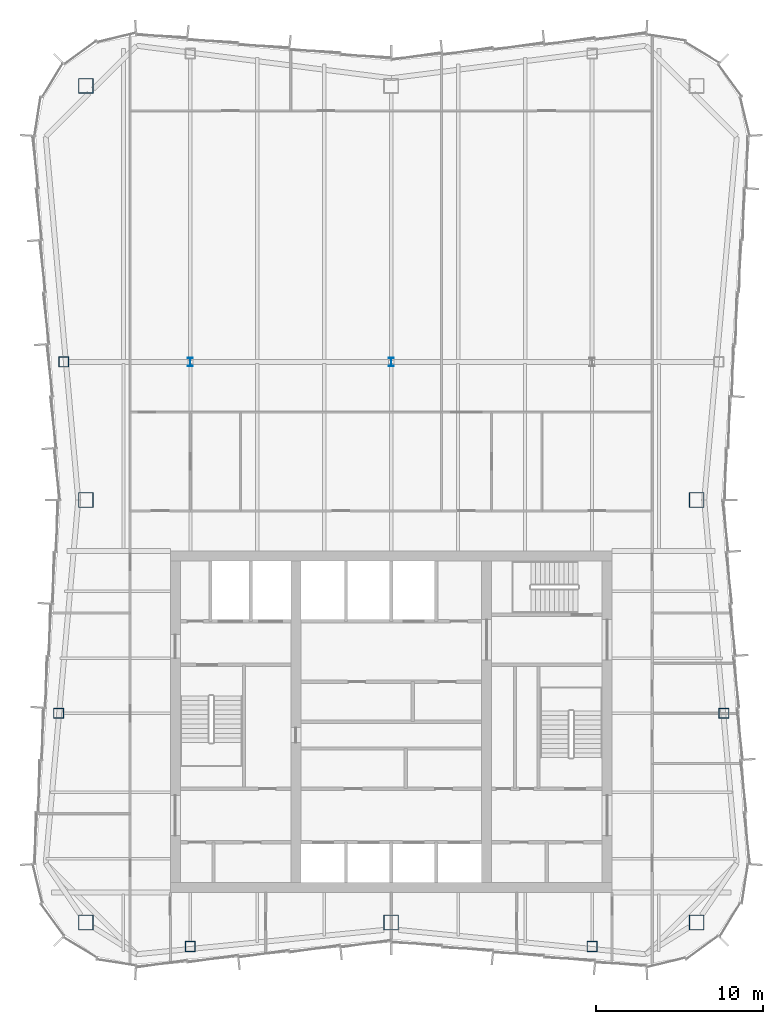
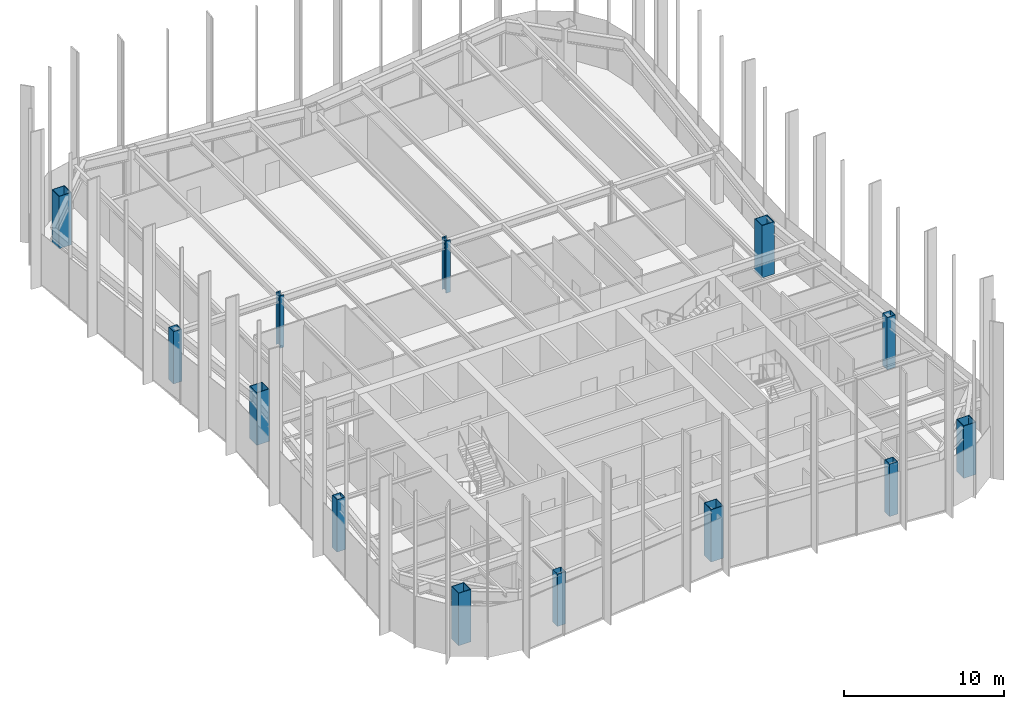
# One storey, part 1 of 13: 13 columns.
"""IFC4 building model written with IfcOpenShell, lengths in metres."""

import ifcopenshell
import ifcopenshell.guid

model = None  # the IFC model being written
_history = None  # IfcOwnerHistory: only IFC2X3 demands one
_inside = {}  # id of a spatial element -> (the spatial element, [elements in it])
_under = {}  # id of a project, library or spatial element -> (it, [spatial elements below it])
_declared = {}  # id of a project -> (the project, [libraries it declares])
_typed = {}  # id of a type object -> (the type object, [elements of that type])
_made_of = {}  # id of a material, layer set ... -> (it, [elements and type objects made of it])


def new_model(schema):
    """Start an empty IFC model of exactly this schema.

    Asked for "IFC4X3", IfcOpenShell would pick the latest addendum, in which some entities
    have other attributes; the version numbers below select the first issue.
    IFC2X3 requires an IfcOwnerHistory on every rooted entity: one is made here for all.
    """
    global model, _history
    if schema == "IFC4X3":
        model = ifcopenshell.file(schema_version=(4, 3, 0, 0))
    else:
        model = ifcopenshell.file(schema=schema)
    _inside.clear()
    _under.clear()
    _declared.clear()
    _typed.clear()
    _made_of.clear()
    _history = None
    if model.schema == "IFC2X3":
        org = make("IfcOrganization", Name="unknown")
        user = make(
            "IfcPersonAndOrganization",
            ThePerson=make("IfcPerson", FamilyName="unknown"),
            TheOrganization=org,
        )
        app = make(
            "IfcApplication",
            ApplicationDeveloper=org,
            Version="unknown",
            ApplicationFullName="unknown",
            ApplicationIdentifier="unknown",
        )
        _history = make(
            "IfcOwnerHistory",
            OwningUser=user,
            OwningApplication=app,
            ChangeAction="ADDED",
            CreationDate=0,
        )
    return model


def make(cls, **values):
    """One entity of the class cls with the attributes given. An attribute that is None is left unset."""
    return model.create_entity(
        cls, **{name: value for name, value in values.items() if value is not None}
    )


def rooted(cls, **values):
    """An entity with a GlobalId (a new one), such as an element, a storey or a relation."""
    return make(cls, GlobalId=ifcopenshell.guid.new(), OwnerHistory=_history, **values)


def si_unit(unit_type, name, prefix=None):
    """IfcSIUnit, for example si_unit("LENGTHUNIT", "METRE", prefix="MILLI")."""
    return make("IfcSIUnit", UnitType=unit_type, Prefix=prefix, Name=name)


def assignment(units):
    """IfcUnitAssignment: the units of a project."""
    return None if units is None else make("IfcUnitAssignment", Units=units)


def point(xyz):
    """IfcCartesianPoint."""
    return None if xyz is None else make("IfcCartesianPoint", Coordinates=xyz)


def direction(xyz):
    """IfcDirection."""
    return None if xyz is None else make("IfcDirection", DirectionRatios=xyz)


def frame(location, z_axis=None, x_axis=None):
    """IfcAxis2Placement3D, a coordinate frame: its origin and axes. An axis left out is left unset."""
    return make(
        "IfcAxis2Placement3D",
        Location=point(location),
        Axis=direction(z_axis),
        RefDirection=direction(x_axis),
    )


def frame_2d(location, x_axis=None):
    """IfcAxis2Placement2D, a coordinate frame in the plane: its origin and x axis."""
    return make(
        "IfcAxis2Placement2D", Location=point(location), RefDirection=direction(x_axis)
    )


def origin():
    """The frame at (0, 0, 0) with its axes left unset."""
    return frame((0.0, 0.0, 0.0))


def origin_2d():
    """The frame at (0, 0) in the plane with its x axis left unset."""
    return frame_2d((0.0, 0.0))


def place(relative_to, where):
    """IfcLocalPlacement: puts the frame where relative to a parent placement (None: the world)."""
    return make(
        "IfcLocalPlacement", PlacementRelTo=relative_to, RelativePlacement=where
    )


def context(
    kind, dimensions, precision=None, world=None, true_north=None, identifier=None
):
    """IfcGeometricRepresentationContext, for example the 3D "Model" context."""
    return make(
        "IfcGeometricRepresentationContext",
        ContextIdentifier=identifier,
        ContextType=kind,
        CoordinateSpaceDimension=dimensions,
        Precision=precision,
        WorldCoordinateSystem=world,
        TrueNorth=true_north,
    )


def subcontext(parent, identifier, kind, view, scale=None):
    """IfcGeometricRepresentationSubContext, for example "Body" below "Model"."""
    return make(
        "IfcGeometricRepresentationSubContext",
        ContextIdentifier=identifier,
        ContextType=kind,
        ParentContext=parent,
        TargetScale=scale,
        TargetView=view,
    )


def project(units=None, contexts=None):
    """IfcProject with its units and contexts."""
    return rooted(
        "IfcProject",
        Name="project",
        RepresentationContexts=contexts,
        UnitsInContext=assignment(units),
    )


def spatial(cls, under=None, at=None, **own):
    """A site, building, storey or space (cls), placed at a placement, below another one or the project."""
    s = rooted(cls, ObjectPlacement=at, **own)
    if under is not None:
        _under.setdefault(under.id(), (under, []))[1].append(s)
    return s


def profile(cls, at=None, kind="AREA", **sizes):
    """A parametric profile (cls). Its sizes go by their IFC names, for example OverallWidth=200.0."""
    return make(cls, ProfileType=kind, Position=at, **sizes)


def hollow_rectangle(**sizes):
    """IfcRectangleHollowProfileDef."""
    return profile("IfcRectangleHollowProfileDef", **sizes)


def i_section(**sizes):
    """IfcIShapeProfileDef."""
    return profile("IfcIShapeProfileDef", **sizes)


def extrude(swept, where, along, depth):
    """IfcExtrudedAreaSolid: the profile swept, set in the frame where, extruded along a direction by depth."""
    return make(
        "IfcExtrudedAreaSolid",
        SweptArea=swept,
        Position=where,
        ExtrudedDirection=direction(along),
        Depth=depth,
    )


def shape(context_of_items, identifier, shape_type, items):
    """IfcShapeRepresentation: the items that make up one representation, for example the "Body"."""
    return make(
        "IfcShapeRepresentation",
        ContextOfItems=context_of_items,
        RepresentationIdentifier=identifier,
        RepresentationType=shape_type,
        Items=items,
    )


def material(Name=None, Category=None):
    """IfcMaterial."""
    return make("IfcMaterial", Name=Name, Category=Category)


def material_profile(
    of_material, cross_section, Name=None, Category=None, Priority=None
):
    """IfcMaterialProfile: a cross section and its material."""
    return make(
        "IfcMaterialProfile",
        Name=Name,
        Material=of_material,
        Profile=cross_section,
        Priority=Priority,
        Category=Category,
    )


def profile_set(profiles, Name=None, composite=None):
    """IfcMaterialProfileSet."""
    return make(
        "IfcMaterialProfileSet",
        Name=Name,
        MaterialProfiles=profiles,
        CompositeProfile=composite,
    )


def made_of(thing, what):
    """Note that an element or type object is made of a material, layer set ...; save() writes the relation."""
    if what is not None:
        _made_of.setdefault(what.id(), (what, []))[1].append(thing)
    return thing


def type_object(cls, material=None, **own):
    """A type object (cls), such as IfcWallType, which elements share."""
    return made_of(rooted(cls, **own), material)


def element(
    cls,
    number,
    at=None,
    inside=None,
    cuts=None,
    type_object=None,
    material=None,
    context=None,
    identifier="Body",
    shape_type=None,
    held_by="IfcProductDefinitionShape",
    body=None,
    shapes=None,
    **own,
):
    """One element of the class cls, such as IfcWall. Its Tag is "e" and its number.

    at: its placement. inside: the storey or other place that contains it. cuts: it is an
    opening in that element (IfcRelVoidsElement). A single representation is given by context,
    identifier, shape_type and body (its items); several are given by shapes. held_by: the class
    of the entity that holds the representations. save() writes the other relations.
    """
    e = rooted(cls, Tag="e%d" % number, ObjectPlacement=at, **own)
    if body is not None:
        shapes = [shape(context, identifier, shape_type, body)]
    if shapes is not None:
        e.Representation = make(held_by, Representations=shapes)
    if inside is not None:
        _inside.setdefault(inside.id(), (inside, []))[1].append(e)
    if cuts is not None:
        rooted(
            "IfcRelVoidsElement", RelatingBuildingElement=cuts, RelatedOpeningElement=e
        )
    if type_object is not None:
        _typed.setdefault(type_object.id(), (type_object, []))[1].append(e)
    return made_of(e, material)


def aggregate(whole, parts):
    """IfcRelAggregates: a whole, such as a stair, and the parts it consists of."""
    return rooted("IfcRelAggregates", RelatingObject=whole, RelatedObjects=parts)


def save(model, path):
    """Write the relations noted so far, then the file.

    IfcRelAggregates (storeys below a building ...), IfcRelContainedInSpatialStructure (elements
    in a storey), IfcRelDefinesByType, IfcRelAssociatesMaterial and IfcRelDeclares: one each for
    every whole, place, type object, material and project.
    """
    for whole, parts in _under.values():
        aggregate(whole, parts)
    for where, things in _inside.values():
        rooted(
            "IfcRelContainedInSpatialStructure",
            RelatedElements=things,
            RelatingStructure=where,
        )
    for kind, things in _typed.values():
        rooted("IfcRelDefinesByType", RelatedObjects=things, RelatingType=kind)
    for what, things in _made_of.values():
        rooted("IfcRelAssociatesMaterial", RelatedObjects=things, RelatingMaterial=what)
    for by, libraries in _declared.values():
        rooted("IfcRelDeclares", RelatingContext=by, RelatedDefinitions=libraries)
    model.write(path)


model = new_model("IFC4")

# Units and contexts
model_context = context("Model", 3, precision=1e-05, world=origin(), true_north=direction((0.0, 1.0)))
body_context = subcontext(model_context, "Body", "Model", "MODEL_VIEW")
ifc_project = project(units=[si_unit("LENGTHUNIT", "METRE"), si_unit("AREAUNIT", "SQUARE_METRE"), si_unit("VOLUMEUNIT", "CUBIC_METRE"), si_unit("PLANEANGLEUNIT", "RADIAN"), si_unit("MASSUNIT", "GRAM", prefix="KILO")], contexts=[model_context])

# Site, building, storey
site_placement = place(None, origin())
site = spatial("IfcSite", under=ifc_project, at=site_placement, CompositionType="ELEMENT")
building_placement = place(site_placement, origin())
building = spatial("IfcBuilding", under=site, at=building_placement, Name="Verdant Reach Tower", CompositionType="ELEMENT")
storey_placement = place(building_placement, frame((0.0, 0.0, 294.0)))
storey = spatial("IfcBuildingStorey", under=building, at=storey_placement, Name="L67", CompositionType="ELEMENT", Elevation=294.0)

# Columns
ifc_material = material(Name="Steel S460", Category="steel")
ifc_material_profile_1 = material_profile(ifc_material, i_section(OverallWidth=0.305908203125, OverallDepth=0.52392578125, WebThickness=0.012451171875, FlangeThickness=0.0400390625, FilletRadius=0.027099609375, at=origin_2d()), Name="HEM 500")
ifc_profile_set_1 = profile_set([ifc_material_profile_1], Name="Steel S460")
column_type_1 = type_object("IfcColumnType", Name="ST-COL-HEM500", PredefinedType="COLUMN", material=ifc_profile_set_1)
for number, where, z_axis, x_axis, name in (
    (1, (-12.0, 49.5, 0.0), (0.0, 0.0, 1.0), (1.0, 0.0, 0.0), "Interior column 1, L67"),
    (2, (0.0, 49.5, 0.0), (0.0, 0.0, 1.0), (1.0, 0.0, 0.0), "Interior column 2, L67"),
):
    element("IfcColumn", number, at=place(storey_placement, frame(where, z_axis=z_axis, x_axis=x_axis)), inside=storey, type_object=column_type_1, Name=name, PredefinedType="COLUMN", context=body_context, shape_type="SweptSolid", body=[
        extrude(i_section(OverallWidth=0.305908203125, OverallDepth=0.52392578125, WebThickness=0.012451171875, FlangeThickness=0.0400390625, FilletRadius=0.027099609375, at=origin_2d()), origin(), (0.0, 0.0, 1.0), 4.0),
    ])
ifc_material_profile_2 = material_profile(ifc_material, hollow_rectangle(XDim=0.60009765625, YDim=0.60009765625, WallThickness=0.02490234375, at=origin_2d()), Name="WB 600x600x25")
ifc_profile_set_2 = profile_set([ifc_material_profile_2], Name="Steel S460")
column_type_2 = type_object("IfcColumnType", Name="ST-COL-WB600x600x25", PredefinedType="COLUMN", material=ifc_profile_set_2)
for number, where, z_axis, x_axis, name in (
    (3, (-12.0, 14.569580078125, 0.0), (0.0, 0.0, 1.0), (1.0, 0.0, 0.0), "Perimeter column south 1, L67"),
    (4, (12.0, 14.569580078125, 0.0), (0.0, 0.0, 1.0), (1.0, 0.0, 0.0), "Perimeter column south 2, L67"),
    (5, (19.87939453125, 28.5, 0.0), (0.0, 0.0, 1.0), (1.0, 0.0, 0.0), "Perimeter column east 1, L67"),
    (6, (-19.87939453125, 28.5, 0.0), (0.0, 0.0, 1.0), (1.0, 0.0, 0.0), "Perimeter column west 1, L67"),
    (7, (-19.569091796875, 49.5, 0.0), (0.0, 0.0, 1.0), (1.0, 0.0, 0.0), "Perimeter column west 2, L67"),
):
    element("IfcColumn", number, at=place(storey_placement, frame(where, z_axis=z_axis, x_axis=x_axis)), inside=storey, type_object=column_type_2, Name=name, PredefinedType="COLUMN", context=body_context, shape_type="SweptSolid", body=[
        extrude(hollow_rectangle(XDim=0.60009765625, YDim=0.60009765625, WallThickness=0.02490234375, at=origin_2d()), origin(), (0.0, 0.0, 1.0), 4.0),
    ])
ifc_material_profile_3 = material_profile(ifc_material, hollow_rectangle(XDim=0.89990234375, YDim=0.89990234375, WallThickness=0.0400390625, at=origin_2d()), Name="WB 900x900x40")
ifc_profile_set_3 = profile_set([ifc_material_profile_3], Name="Steel S460")
column_type_3 = type_object("IfcColumnType", Name="ST-COL-WB900x900x40", PredefinedType="COLUMN", material=ifc_profile_set_3)
for number, where, z_axis, x_axis, name in (
    (8, (-18.25, 66.0, 0.0), (0.0, 0.0, 1.0), (1.0, 0.0, 0.0), "Mega column north-west, L67"),
    (9, (18.25, 41.25, 0.0), (0.0, 0.0, 1.0), (1.0, 0.0, 0.0), "Mega column east, L67"),
    (10, (18.25, 16.0, 0.0), (0.0, 0.0, 1.0), (1.0, 0.0, 0.0), "Mega column south-east, L67"),
    (11, (0.0, 16.0, 0.0), (0.0, 0.0, 1.0), (1.0, 0.0, 0.0), "Mega column south, L67"),
    (12, (-18.25, 16.0, 0.0), (0.0, 0.0, 1.0), (1.0, 0.0, 0.0), "Mega column south-west, L67"),
    (13, (-18.25, 41.25, 0.0), (0.0, 0.0, 1.0), (1.0, 0.0, 0.0), "Mega column west, L67"),
):
    element("IfcColumn", number, at=place(storey_placement, frame(where, z_axis=z_axis, x_axis=x_axis)), inside=storey, type_object=column_type_3, Name=name, PredefinedType="COLUMN", context=body_context, shape_type="SweptSolid", body=[
        extrude(hollow_rectangle(XDim=0.89990234375, YDim=0.89990234375, WallThickness=0.0400390625, at=origin_2d()), origin(), (0.0, 0.0, 1.0), 4.0),
    ])

save(model, "model.ifc")
